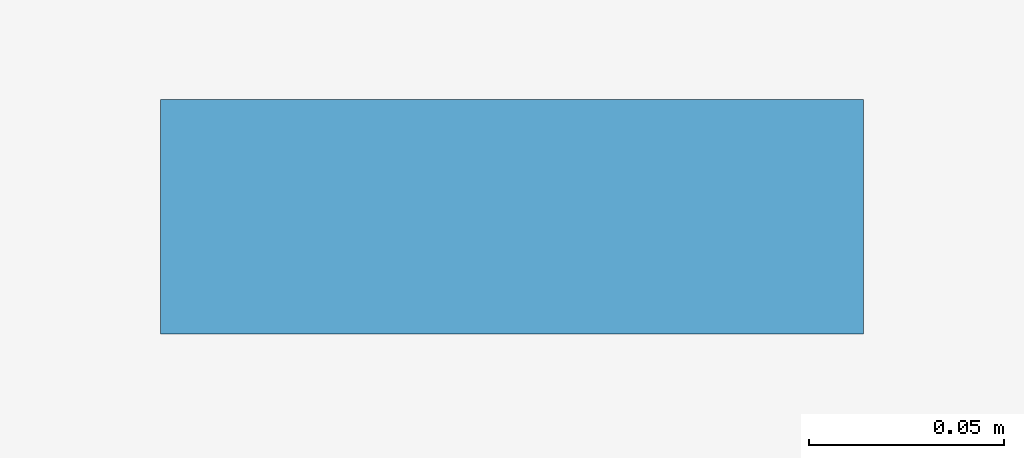
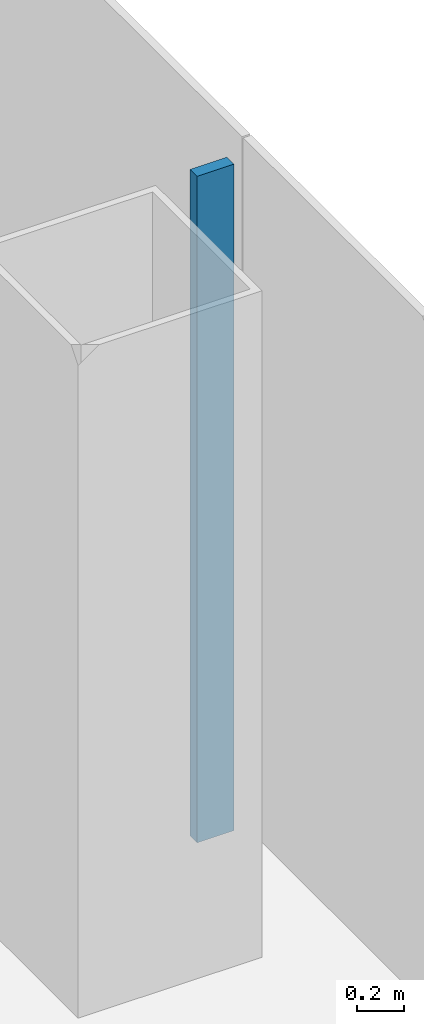
# One storey, part 4 of 20: 1 member, 1 element without a shape of its own.
"""IFC4 building model written with IfcOpenShell, lengths in metres."""

import ifcopenshell
import ifcopenshell.guid

model = None  # the IFC model being written
_history = None  # IfcOwnerHistory: only IFC2X3 demands one
_inside = {}  # id of a spatial element -> (the spatial element, [elements in it])
_under = {}  # id of a project, library or spatial element -> (it, [spatial elements below it])
_declared = {}  # id of a project -> (the project, [libraries it declares])
_typed = {}  # id of a type object -> (the type object, [elements of that type])
_made_of = {}  # id of a material, layer set ... -> (it, [elements and type objects made of it])


def new_model(schema):
    """Start an empty IFC model of exactly this schema.

    Asked for "IFC4X3", IfcOpenShell would pick the latest addendum, in which some entities
    have other attributes; the version numbers below select the first issue.
    IFC2X3 requires an IfcOwnerHistory on every rooted entity: one is made here for all.
    """
    global model, _history
    if schema == "IFC4X3":
        model = ifcopenshell.file(schema_version=(4, 3, 0, 0))
    else:
        model = ifcopenshell.file(schema=schema)
    _inside.clear()
    _under.clear()
    _declared.clear()
    _typed.clear()
    _made_of.clear()
    _history = None
    if model.schema == "IFC2X3":
        org = make("IfcOrganization", Name="unknown")
        user = make(
            "IfcPersonAndOrganization",
            ThePerson=make("IfcPerson", FamilyName="unknown"),
            TheOrganization=org,
        )
        app = make(
            "IfcApplication",
            ApplicationDeveloper=org,
            Version="unknown",
            ApplicationFullName="unknown",
            ApplicationIdentifier="unknown",
        )
        _history = make(
            "IfcOwnerHistory",
            OwningUser=user,
            OwningApplication=app,
            ChangeAction="ADDED",
            CreationDate=0,
        )
    return model


def make(cls, **values):
    """One entity of the class cls with the attributes given. An attribute that is None is left unset."""
    return model.create_entity(
        cls, **{name: value for name, value in values.items() if value is not None}
    )


def rooted(cls, **values):
    """An entity with a GlobalId (a new one), such as an element, a storey or a relation."""
    return make(cls, GlobalId=ifcopenshell.guid.new(), OwnerHistory=_history, **values)


def si_unit(unit_type, name, prefix=None):
    """IfcSIUnit, for example si_unit("LENGTHUNIT", "METRE", prefix="MILLI")."""
    return make("IfcSIUnit", UnitType=unit_type, Prefix=prefix, Name=name)


def assignment(units):
    """IfcUnitAssignment: the units of a project."""
    return None if units is None else make("IfcUnitAssignment", Units=units)


def point(xyz):
    """IfcCartesianPoint."""
    return None if xyz is None else make("IfcCartesianPoint", Coordinates=xyz)


def direction(xyz):
    """IfcDirection."""
    return None if xyz is None else make("IfcDirection", DirectionRatios=xyz)


def frame(location, z_axis=None, x_axis=None):
    """IfcAxis2Placement3D, a coordinate frame: its origin and axes. An axis left out is left unset."""
    return make(
        "IfcAxis2Placement3D",
        Location=point(location),
        Axis=direction(z_axis),
        RefDirection=direction(x_axis),
    )


def frame_2d(location, x_axis=None):
    """IfcAxis2Placement2D, a coordinate frame in the plane: its origin and x axis."""
    return make(
        "IfcAxis2Placement2D", Location=point(location), RefDirection=direction(x_axis)
    )


def origin():
    """The frame at (0, 0, 0) with its axes left unset."""
    return frame((0.0, 0.0, 0.0))


def origin_2d():
    """The frame at (0, 0) in the plane with its x axis left unset."""
    return frame_2d((0.0, 0.0))


def place(relative_to, where):
    """IfcLocalPlacement: puts the frame where relative to a parent placement (None: the world)."""
    return make(
        "IfcLocalPlacement", PlacementRelTo=relative_to, RelativePlacement=where
    )


def context(
    kind, dimensions, precision=None, world=None, true_north=None, identifier=None
):
    """IfcGeometricRepresentationContext, for example the 3D "Model" context."""
    return make(
        "IfcGeometricRepresentationContext",
        ContextIdentifier=identifier,
        ContextType=kind,
        CoordinateSpaceDimension=dimensions,
        Precision=precision,
        WorldCoordinateSystem=world,
        TrueNorth=true_north,
    )


def subcontext(parent, identifier, kind, view, scale=None):
    """IfcGeometricRepresentationSubContext, for example "Body" below "Model"."""
    return make(
        "IfcGeometricRepresentationSubContext",
        ContextIdentifier=identifier,
        ContextType=kind,
        ParentContext=parent,
        TargetScale=scale,
        TargetView=view,
    )


def project(units=None, contexts=None):
    """IfcProject with its units and contexts."""
    return rooted(
        "IfcProject",
        Name="project",
        RepresentationContexts=contexts,
        UnitsInContext=assignment(units),
    )


def spatial(cls, under=None, at=None, **own):
    """A site, building, storey or space (cls), placed at a placement, below another one or the project."""
    s = rooted(cls, ObjectPlacement=at, **own)
    if under is not None:
        _under.setdefault(under.id(), (under, []))[1].append(s)
    return s


def profile(cls, at=None, kind="AREA", **sizes):
    """A parametric profile (cls). Its sizes go by their IFC names, for example OverallWidth=200.0."""
    return make(cls, ProfileType=kind, Position=at, **sizes)


def rectangle(**sizes):
    """IfcRectangleProfileDef."""
    return profile("IfcRectangleProfileDef", **sizes)


def extrude(swept, where, along, depth):
    """IfcExtrudedAreaSolid: the profile swept, set in the frame where, extruded along a direction by depth."""
    return make(
        "IfcExtrudedAreaSolid",
        SweptArea=swept,
        Position=where,
        ExtrudedDirection=direction(along),
        Depth=depth,
    )


def shape(context_of_items, identifier, shape_type, items):
    """IfcShapeRepresentation: the items that make up one representation, for example the "Body"."""
    return make(
        "IfcShapeRepresentation",
        ContextOfItems=context_of_items,
        RepresentationIdentifier=identifier,
        RepresentationType=shape_type,
        Items=items,
    )


def material(Name=None, Category=None):
    """IfcMaterial."""
    return make("IfcMaterial", Name=Name, Category=Category)


def layer(
    of_material, thickness, ventilated=None, Name=None, Category=None, Priority=None
):
    """IfcMaterialLayer: one layer of a wall or slab, of a material (None: an air gap)."""
    return make(
        "IfcMaterialLayer",
        Material=of_material,
        LayerThickness=thickness,
        IsVentilated=ventilated,
        Name=Name,
        Category=Category,
        Priority=Priority,
    )


def layer_set(layers, Name=None):
    """IfcMaterialLayerSet."""
    return make("IfcMaterialLayerSet", MaterialLayers=layers, LayerSetName=Name)


def material_profile(
    of_material, cross_section, Name=None, Category=None, Priority=None
):
    """IfcMaterialProfile: a cross section and its material."""
    return make(
        "IfcMaterialProfile",
        Name=Name,
        Material=of_material,
        Profile=cross_section,
        Priority=Priority,
        Category=Category,
    )


def profile_set(profiles, Name=None, composite=None):
    """IfcMaterialProfileSet."""
    return make(
        "IfcMaterialProfileSet",
        Name=Name,
        MaterialProfiles=profiles,
        CompositeProfile=composite,
    )


def made_of(thing, what):
    """Note that an element or type object is made of a material, layer set ...; save() writes the relation."""
    if what is not None:
        _made_of.setdefault(what.id(), (what, []))[1].append(thing)
    return thing


def type_object(cls, material=None, **own):
    """A type object (cls), such as IfcWallType, which elements share."""
    return made_of(rooted(cls, **own), material)


def element(
    cls,
    number,
    at=None,
    inside=None,
    cuts=None,
    type_object=None,
    material=None,
    context=None,
    identifier="Body",
    shape_type=None,
    held_by="IfcProductDefinitionShape",
    body=None,
    shapes=None,
    **own,
):
    """One element of the class cls, such as IfcWall. Its Tag is "e" and its number.

    at: its placement. inside: the storey or other place that contains it. cuts: it is an
    opening in that element (IfcRelVoidsElement). A single representation is given by context,
    identifier, shape_type and body (its items); several are given by shapes. held_by: the class
    of the entity that holds the representations. save() writes the other relations.
    """
    e = rooted(cls, Tag="e%d" % number, ObjectPlacement=at, **own)
    if body is not None:
        shapes = [shape(context, identifier, shape_type, body)]
    if shapes is not None:
        e.Representation = make(held_by, Representations=shapes)
    if inside is not None:
        _inside.setdefault(inside.id(), (inside, []))[1].append(e)
    if cuts is not None:
        rooted(
            "IfcRelVoidsElement", RelatingBuildingElement=cuts, RelatedOpeningElement=e
        )
    if type_object is not None:
        _typed.setdefault(type_object.id(), (type_object, []))[1].append(e)
    return made_of(e, material)


def aggregate(whole, parts):
    """IfcRelAggregates: a whole, such as a stair, and the parts it consists of."""
    return rooted("IfcRelAggregates", RelatingObject=whole, RelatedObjects=parts)


def save(model, path):
    """Write the relations noted so far, then the file.

    IfcRelAggregates (storeys below a building ...), IfcRelContainedInSpatialStructure (elements
    in a storey), IfcRelDefinesByType, IfcRelAssociatesMaterial and IfcRelDeclares: one each for
    every whole, place, type object, material and project.
    """
    for whole, parts in _under.values():
        aggregate(whole, parts)
    for where, things in _inside.values():
        rooted(
            "IfcRelContainedInSpatialStructure",
            RelatedElements=things,
            RelatingStructure=where,
        )
    for kind, things in _typed.values():
        rooted("IfcRelDefinesByType", RelatedObjects=things, RelatingType=kind)
    for what, things in _made_of.values():
        rooted("IfcRelAssociatesMaterial", RelatedObjects=things, RelatingMaterial=what)
    for by, libraries in _declared.values():
        rooted("IfcRelDeclares", RelatingContext=by, RelatedDefinitions=libraries)
    model.write(path)


model = new_model("IFC4")

# Units and contexts
model_context = context("Model", 3, precision=1e-05, world=origin(), true_north=direction((0.0, 1.0)))
body_context = subcontext(model_context, "Body", "Model", "MODEL_VIEW")
ifc_project = project(units=[si_unit("LENGTHUNIT", "METRE"), si_unit("AREAUNIT", "SQUARE_METRE"), si_unit("VOLUMEUNIT", "CUBIC_METRE"), si_unit("PLANEANGLEUNIT", "RADIAN"), si_unit("MASSUNIT", "GRAM", prefix="KILO")], contexts=[model_context])

# Site, building, storey
site_placement = place(None, origin())
site = spatial("IfcSite", under=ifc_project, at=site_placement, CompositionType="ELEMENT")
building_placement = place(site_placement, origin())
building = spatial("IfcBuilding", under=site, at=building_placement, Name="Shamsa Quay Exchange Towers", CompositionType="ELEMENT")
storey_placement = place(building_placement, frame((0.0, 0.0, 124.800048828125)))
storey = spatial("IfcBuildingStorey", under=building, at=storey_placement, Name="L29", CompositionType="ELEMENT", Elevation=124.800048828125)

# Curtain wall, member
ifc_material = material(Name="Aluminium EN AW-6063 T6, black anodised", Category="aluminium")
ifc_layer = layer(ifc_material, 0.280029296875)
ifc_layer_set = layer_set([ifc_layer], Name="CW-1 UNITISED VISION GLASS")
curtain_wall_type = type_object("IfcCurtainWallType", Name="CW-1 UNITISED VISION GLASS", PredefinedType="NOTDEFINED", material=ifc_layer_set)
curtain_wall_placement = place(storey_placement, origin())
curtain_wall = element("IfcCurtainWall", 1, at=curtain_wall_placement, inside=storey, type_object=curtain_wall_type, Name="CW1 T1-END-U+ L29", PredefinedType="NOTDEFINED")
ifc_material_profile = material_profile(ifc_material, rectangle(XDim=0.179931640625, YDim=0.06005859375, at=origin_2d()), Name="MU60x180")
ifc_profile_set = profile_set([ifc_material_profile], Name="Aluminium EN AW-6063 T6, black anodised")
member_type = type_object("IfcMemberType", Name="CW1 MULLION 60x180", PredefinedType="MULLION", material=ifc_profile_set)
member_placement = place(storey_placement, frame((-4.64990234375, -2.25, 0.0), z_axis=(0.0, 0.0, 1.0), x_axis=(-1.0, 0.0, 0.0)))
member = element("IfcMember", 2, at=member_placement, type_object=member_type, Name="CW1 mullion", PredefinedType="MULLION", context=body_context, shape_type="SweptSolid", body=[
    extrude(rectangle(XDim=0.179931640625, YDim=0.06005859375, at=origin_2d()), origin(), (0.0, 0.0, 1.0), 3.449951171875),
])
aggregate(curtain_wall, [member])

save(model, "model.ifc")
